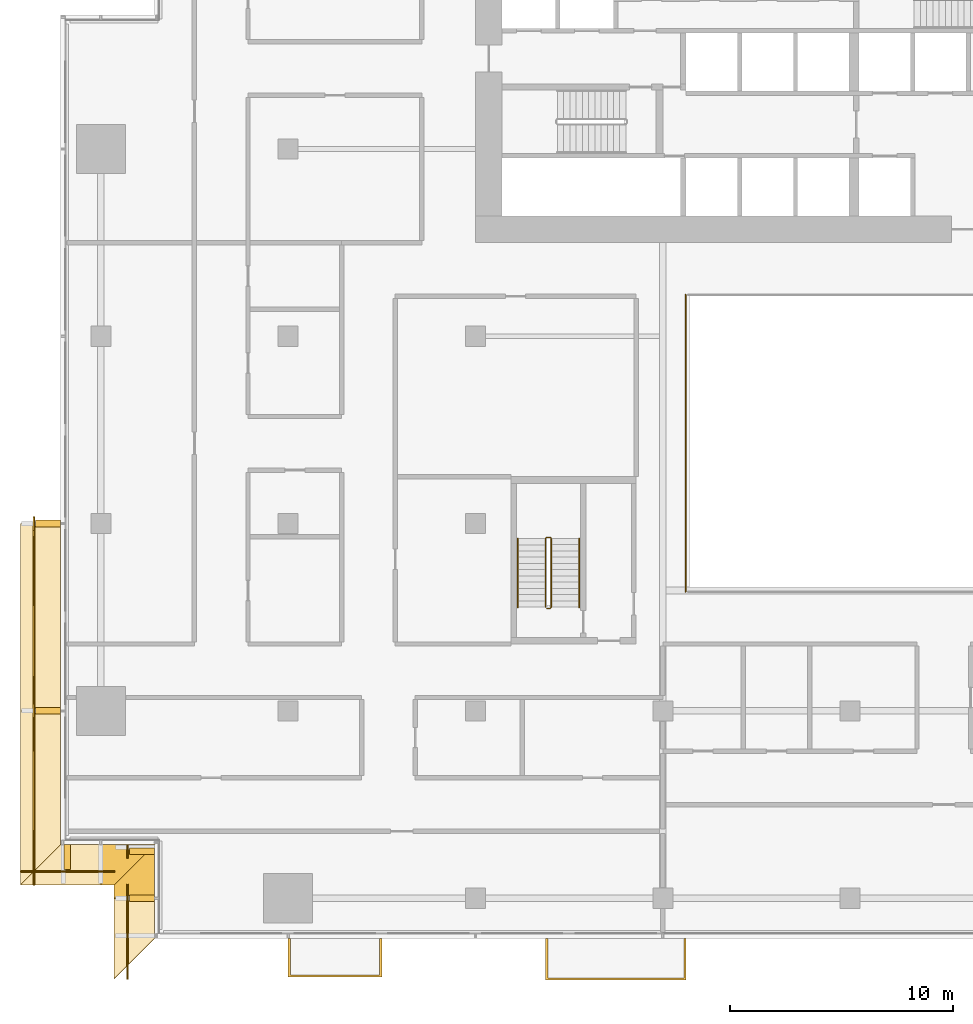
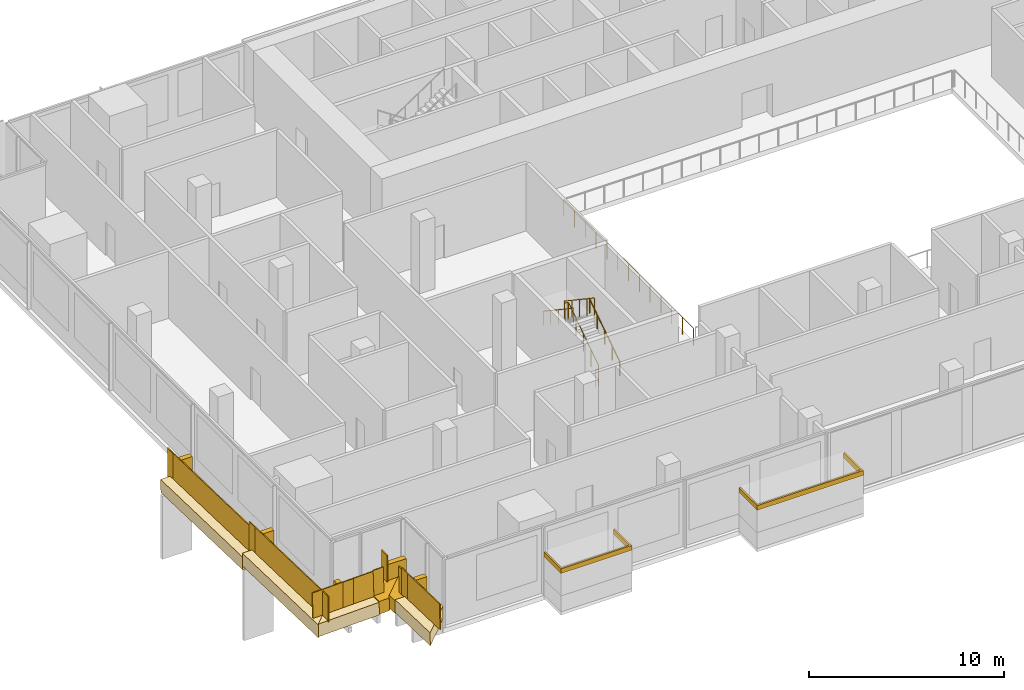
# One storey, part 21 of 23: 15 railings, 13 coverings.
"""IFC4 building model written with IfcOpenShell, lengths in metres."""

from ifc_helpers import new_model, si_unit, direction, frame, origin, origin_2d, place, context, subcontext, project, spatial, polyline, rectangle, circle, outline, extrude, material, layer, layer_set, type_object, element, save


model = new_model("IFC4")

# Units and contexts
model_context = context("Model", 3, precision=1e-05, world=origin(), true_north=direction((0.0, 1.0)))
body_context = subcontext(model_context, "Body", "Model", "MODEL_VIEW")
ifc_project = project(units=[si_unit("LENGTHUNIT", "METRE"), si_unit("AREAUNIT", "SQUARE_METRE"), si_unit("VOLUMEUNIT", "CUBIC_METRE"), si_unit("PLANEANGLEUNIT", "RADIAN"), si_unit("MASSUNIT", "GRAM", prefix="KILO")], contexts=[model_context])

# Site, building, storey
site_placement = place(None, origin())
site = spatial("IfcSite", under=ifc_project, at=site_placement, CompositionType="ELEMENT")
building_placement = place(site_placement, origin())
building = spatial("IfcBuilding", under=site, at=building_placement, Name="Saffron Gate Tower", CompositionType="ELEMENT")
storey_placement = place(building_placement, frame((0.0, 0.0, 32.699951171875)))
storey = spatial("IfcBuildingStorey", under=building, at=storey_placement, Name="L06", CompositionType="ELEMENT", Elevation=32.699951171875)

# Railing
ifc_material_1 = material(Name="Stainless steel and laminated glass", Category="steel")
railing_type_1 = type_object("IfcRailingType", Name="AG1 Atrium edge guard 1100", PredefinedType="GUARDRAIL", material=ifc_material_1)
railing_1_placement = place(storey_placement, frame((76.02001953125, 45.5400390625, 0.0)))
element("IfcRailing", 1, at=railing_1_placement, inside=storey, type_object=railing_type_1, Name="Guard S2-1", PredefinedType="GUARDRAIL", context=body_context, shape_type="SweptSolid", body=[
    extrude(circle(Radius=0.02392578125, at=origin_2d()), frame((0.0, 0.0, 1.076171875), z_axis=(0.0, 1.0, 0.0), x_axis=(-1.0, 0.0, 0.0)), (0.0, 0.0, 1.0), 13.320068359375),
    extrude(circle(Radius=0.02099609375, at=origin_2d()), origin(), (0.0, 0.0, 1.0), 1.052001953125),
    extrude(circle(Radius=0.02099609375, at=origin_2d()), frame((0.0, 1.110107421875, 0.0)), (0.0, 0.0, 1.0), 1.052001953125),
    extrude(circle(Radius=0.02099609375, at=origin_2d()), frame((0.0, 2.219970703125, 0.0)), (0.0, 0.0, 1.0), 1.052001953125),
    extrude(circle(Radius=0.02099609375, at=origin_2d()), frame((0.0, 3.330078125, 0.0)), (0.0, 0.0, 1.0), 1.052001953125),
    extrude(circle(Radius=0.02099609375, at=origin_2d()), frame((0.0, 4.43994140625, 0.0)), (0.0, 0.0, 1.0), 1.052001953125),
    extrude(circle(Radius=0.02099609375, at=origin_2d()), frame((0.0, 5.550048828125, 0.0)), (0.0, 0.0, 1.0), 1.052001953125),
    extrude(circle(Radius=0.02099609375, at=origin_2d()), frame((0.0, 6.66015625, 0.0)), (0.0, 0.0, 1.0), 1.052001953125),
    extrude(circle(Radius=0.02099609375, at=origin_2d()), frame((0.0, 7.77001953125, 0.0)), (0.0, 0.0, 1.0), 1.052001953125),
    extrude(circle(Radius=0.02099609375, at=origin_2d()), frame((0.0, 8.880126953125, 0.0)), (0.0, 0.0, 1.0), 1.052001953125),
    extrude(circle(Radius=0.02099609375, at=origin_2d()), frame((0.0, 9.989990234375, 0.0)), (0.0, 0.0, 1.0), 1.052001953125),
    extrude(circle(Radius=0.02099609375, at=origin_2d()), frame((0.0, 11.10009765625, 0.0)), (0.0, 0.0, 1.0), 1.052001953125),
    extrude(circle(Radius=0.02099609375, at=origin_2d()), frame((0.0, 12.2099609375, 0.0)), (0.0, 0.0, 1.0), 1.052001953125),
    extrude(circle(Radius=0.02099609375, at=origin_2d()), frame((0.0, 13.320068359375, 0.0)), (0.0, 0.0, 1.0), 1.052001953125),
])

# Coverings
ifc_material_2 = material(Name="Powder-coated aluminium, bright green", Category="aluminium")
ifc_layer_1 = layer(ifc_material_2, 0.080078125)
ifc_layer_set_1 = layer_set([ifc_layer_1], Name="BX1 box frame")
covering_type_1 = type_object("IfcCoveringType", Name="BX1 box frame", PredefinedType="CLADDING", material=ifc_layer_set_1)
covering_1_placement = place(storey_placement, frame((0.0, 0.0, 2.400146484375)))
element("IfcCovering", 2, at=covering_1_placement, inside=storey, type_object=covering_type_1, Name="CLADDING box frame bright", PredefinedType="CLADDING", context=body_context, shape_type="SweptSolid", body=[
    extrude(outline(polyline([(58.199951171875, 30.0), (58.300048828125, 30.0), (58.300048828125, 28.366943359375), (62.300048828125, 28.366943359375), (62.300048828125, 30.0), (62.39990234375, 30.0), (62.39990234375, 28.26708984375), (58.199951171875, 28.26708984375), (58.199951171875, 30.0)])), origin(), (0.0, 0.0, 1.0), 0.2998046875),
])
covering_2_placement = place(storey_placement, frame((0.0, 0.0, 2.400146484375)))
element("IfcCovering", 3, at=covering_2_placement, inside=storey, type_object=covering_type_1, Name="CLADDING box frame bright", PredefinedType="CLADDING", context=body_context, shape_type="SweptSolid", body=[
    extrude(outline(polyline([(69.75, 30.0), (69.85009765625, 30.0), (69.85009765625, 28.23291015625), (75.949951171875, 28.23291015625), (75.949951171875, 30.0), (76.050048828125, 30.0), (76.050048828125, 28.133056640625), (69.75, 28.133056640625), (69.75, 30.0)])), origin(), (0.0, 0.0, 1.0), 0.2998046875),
])

# Railings
railing_type_2 = type_object("IfcRailingType", Name="CR1 Stair guard 1100", PredefinedType="GUARDRAIL", material=ifc_material_1)
railing_2_placement = place(storey_placement, frame((69.800048828125, 44.800048828125, 0.0)))
element("IfcRailing", 4, at=railing_2_placement, inside=storey, type_object=railing_type_2, Name="L06 ST-D stair guard 1", PredefinedType="GUARDRAIL", context=body_context, shape_type="SweptSolid", body=[
    extrude(circle(Radius=0.02392578125, at=origin_2d()), frame((0.0, 0.0, 1.076171875), z_axis=(1.0, 0.0, 0.0), x_axis=(0.0, 1.0, 0.0)), (0.0, 0.0, 1.0), 0.14990234375),
    extrude(circle(Radius=0.02392578125, at=origin_2d()), frame((0.14990234375, 0.0, 1.076171875), z_axis=(0.249726431254, 0.249726431254, 0.935560483917), x_axis=(-0.707106781187, 0.707106781187, 0.0)), (0.0, 0.0, 1.0), 0.200439453125),
    extrude(circle(Radius=0.02392578125, at=origin_2d()), frame((0.199951171875, 0.050048828125, 1.263671875), z_axis=(0.0, 0.830893310487, 0.556431762742), x_axis=(-1.0, 0.0, 0.0)), (0.0, 0.0, 1.0), 3.70654296875),
    extrude(circle(Radius=0.02392578125, at=origin_2d()), frame((0.199951171875, 3.1298828125, 3.326171875), z_axis=(-0.707106781187, 0.707106781187, 0.0), x_axis=(-0.707106781187, -0.707106781187, 0.0)), (0.0, 0.0, 1.0), 0.07080078125),
    extrude(circle(Radius=0.02392578125, at=origin_2d()), frame((0.14990234375, 3.179931640625, 3.326171875), z_axis=(-1.0, 0.0, 0.0), x_axis=(0.0, -1.0, 0.0)), (0.0, 0.0, 1.0), 0.14990234375),
    extrude(circle(Radius=0.02392578125, at=origin_2d()), frame((0.0, 3.179931640625, 3.326171875), z_axis=(-0.249726431254, -0.249726431254, 0.935560483917), x_axis=(0.707106781187, -0.707106781187, 0.0)), (0.0, 0.0, 1.0), 0.200439453125),
    extrude(circle(Radius=0.02392578125, at=origin_2d()), frame((-0.050048828125, 3.1298828125, 3.513671875), z_axis=(0.0, -0.830893310487, 0.556431762742), x_axis=(1.0, 0.0, 0.0)), (0.0, 0.0, 1.0), 3.70654296875),
    extrude(circle(Radius=0.02099609375, at=origin_2d()), origin(), (0.0, 0.0, 1.0), 1.052001953125),
    extrude(circle(Radius=0.02099609375, at=origin_2d()), frame((0.14990234375, 0.0, 0.0)), (0.0, 0.0, 1.0), 1.052001953125),
    extrude(circle(Radius=0.02099609375, at=origin_2d()), frame((0.199951171875, 0.050048828125, 0.1875)), (0.0, 0.0, 1.0), 1.052001953125),
    extrude(circle(Radius=0.02099609375, at=origin_2d()), frame((0.199951171875, 0.820068359375, 0.703125)), (0.0, 0.0, 1.0), 1.052001953125),
    extrude(circle(Radius=0.02099609375, at=origin_2d()), frame((0.199951171875, 1.58984375, 1.21875)), (0.0, 0.0, 1.0), 1.052001953125),
    extrude(circle(Radius=0.02099609375, at=origin_2d()), frame((0.199951171875, 2.35986328125, 1.734375)), (0.0, 0.0, 1.0), 1.052001953125),
    extrude(circle(Radius=0.02099609375, at=origin_2d()), frame((0.199951171875, 3.1298828125, 2.25)), (0.0, 0.0, 1.0), 1.052001953125),
    extrude(circle(Radius=0.02099609375, at=origin_2d()), frame((0.14990234375, 3.179931640625, 2.25)), (0.0, 0.0, 1.0), 1.052001953125),
    extrude(circle(Radius=0.02099609375, at=origin_2d()), frame((0.0, 3.179931640625, 2.25)), (0.0, 0.0, 1.0), 1.052001953125),
    extrude(circle(Radius=0.02099609375, at=origin_2d()), frame((-0.050048828125, 3.1298828125, 2.4375)), (0.0, 0.0, 1.0), 1.052001953125),
    extrude(circle(Radius=0.02099609375, at=origin_2d()), frame((-0.050048828125, 2.35986328125, 2.953125)), (0.0, 0.0, 1.0), 1.052001953125),
    extrude(circle(Radius=0.02099609375, at=origin_2d()), frame((-0.050048828125, 1.58984375, 3.46875)), (0.0, 0.0, 1.0), 1.052001953125),
    extrude(circle(Radius=0.02099609375, at=origin_2d()), frame((-0.050048828125, 0.820068359375, 3.984375)), (0.0, 0.0, 1.0), 1.052001953125),
    extrude(circle(Radius=0.02099609375, at=origin_2d()), frame((-0.050048828125, 0.050048828125, 4.5)), (0.0, 0.0, 1.0), 1.052001953125),
])
ifc_material_3 = material(Name="Stainless steel", Category="steel")
railing_type_3 = type_object("IfcRailingType", Name="CR2 Stair handrail 900", PredefinedType="HANDRAIL", material=ifc_material_3)
railing_3_placement = place(storey_placement, frame((71.25, 44.85009765625, 0.1875)))
element("IfcRailing", 5, at=railing_3_placement, inside=storey, type_object=railing_type_3, Name="L06 ST-D stair handrail 1", PredefinedType="HANDRAIL", context=body_context, shape_type="SweptSolid", body=[
    extrude(circle(Radius=0.02392578125, at=origin_2d()), frame((0.0, 0.0, 0.8759765625), z_axis=(0.0, 0.830893310487, 0.556431762742), x_axis=(-1.0, 0.0, 0.0)), (0.0, 0.0, 1.0), 3.70654296875),
    extrude(circle(Radius=0.02099609375, at=origin_2d()), origin(), (0.0, 0.0, 1.0), 0.851806640625),
    extrude(circle(Radius=0.02099609375, at=origin_2d()), frame((0.0, 0.77001953125, 0.515625)), (0.0, 0.0, 1.0), 0.851806640625),
    extrude(circle(Radius=0.02099609375, at=origin_2d()), frame((0.0, 1.5400390625, 1.03125)), (0.0, 0.0, 1.0), 0.851806640625),
    extrude(circle(Radius=0.02099609375, at=origin_2d()), frame((0.0, 2.309814453125, 1.546875)), (0.0, 0.0, 1.0), 0.851806640625),
    extrude(circle(Radius=0.02099609375, at=origin_2d()), frame((0.0, 3.079833984375, 2.0625)), (0.0, 0.0, 1.0), 0.851806640625),
])
railing_4_placement = place(storey_placement, frame((68.5, 47.929931640625, 2.4375)))
element("IfcRailing", 6, at=railing_4_placement, inside=storey, type_object=railing_type_3, Name="L06 ST-D stair handrail 2", PredefinedType="HANDRAIL", context=body_context, shape_type="SweptSolid", body=[
    extrude(circle(Radius=0.02392578125, at=origin_2d()), frame((0.0, 0.0, 0.8759765625), z_axis=(0.0, -0.830893310487, 0.556431762742), x_axis=(1.0, 0.0, 0.0)), (0.0, 0.0, 1.0), 3.70654296875),
    extrude(circle(Radius=0.02099609375, at=origin_2d()), origin(), (0.0, 0.0, 1.0), 0.851806640625),
    extrude(circle(Radius=0.02099609375, at=origin_2d()), frame((0.0, -0.77001953125, 0.515625)), (0.0, 0.0, 1.0), 0.851806640625),
    extrude(circle(Radius=0.02099609375, at=origin_2d()), frame((0.0, -1.5400390625, 1.03125)), (0.0, 0.0, 1.0), 0.851806640625),
    extrude(circle(Radius=0.02099609375, at=origin_2d()), frame((0.0, -2.309814453125, 1.546875)), (0.0, 0.0, 1.0), 0.851806640625),
    extrude(circle(Radius=0.02099609375, at=origin_2d()), frame((0.0, -3.079833984375, 2.0625)), (0.0, 0.0, 1.0), 0.851806640625),
])

# Coverings
ifc_material_4 = material(Name="Timber, thermally modified ash", Category="wood")
ifc_layer_2 = layer(ifc_material_4, 0.800048828125)
ifc_layer_set_2 = layer_set([ifc_layer_2], Name="LD1 ledge timber")
covering_type_2 = type_object("IfcCoveringType", Name="LD1 ledge timber", PredefinedType="CLADDING", material=ifc_layer_set_2)
covering_3_placement = place(storey_placement, frame((48.0, 48.60009765625, 0.173828125), z_axis=(0.0, 0.028819366951, 0.999584635781), x_axis=(0.0, -0.999584635781, 0.028819366951)))
element("IfcCovering", 7, at=covering_3_placement, inside=storey, type_object=covering_type_2, Name="LEDGE", PredefinedType="CLADDING", context=body_context, shape_type="SweptSolid", body=[
    extrude(outline(polyline([(0.0, 0.0), (8.403637054520734, 0.0), (8.403637054520734, -1.800048828125), (0.0, -1.800048828125), (0.0, 0.0)])), origin(), (0.0, 0.0, -1.0), 0.800048828125),
])
covering_4_placement = place(storey_placement, frame((48.0, 40.199951171875, 0.64697265625), z_axis=(3.5027307e-05, 0.028807146299, 0.99958498743), x_axis=(3.68e-10, -0.999584988043, 0.028807146316)))
element("IfcCovering", 8, at=covering_4_placement, inside=storey, type_object=covering_type_2, Name="LEDGE", PredefinedType="CLADDING", context=body_context, shape_type="SweptSolid", body=[
    extrude(outline(polyline([(0.0, 0.0), (6.0024892885105, -2.541098841762901e-21), (7.8032891020589235, -1.8000488321003227), (-6.622937652878055e-10, -1.8000488270207489), (0.0, 0.0)])), origin(), (0.0, 0.0, -1.0), 0.800048828125),
])
covering_5_placement = place(storey_placement, frame((48.0, 34.199951171875, 0.98486328125), z_axis=(-0.028831989003, 4.5191205e-05, 0.999584270769), x_axis=(0.999584271789, -2.041e-09, 0.028831989032)))
element("IfcCovering", 9, at=covering_5_placement, inside=storey, type_object=covering_type_2, Name="LEDGE", PredefinedType="CLADDING", context=body_context, shape_type="SweptSolid", body=[
    extrude(outline(polyline([(0.0, 0.0), (1.8007998167885757, 0.0), (1.8007998204631834, -1.80004882628693), (-1.8007927740541456, -1.800048837315338), (0.0, 0.0)])), origin(), (0.0, 0.0, -1.0), 0.800048828125),
])
covering_6_placement = place(storey_placement, frame((49.800048828125, 34.199951171875, 1.08642578125), z_axis=(-0.028717702301, -7.9786444e-05, 0.99958755855), x_axis=(0.999587561732, 4.773e-09, 0.028717702392)))
element("IfcCovering", 10, at=covering_6_placement, inside=storey, type_object=covering_type_2, Name="LEDGE", PredefinedType="CLADDING", context=body_context, shape_type="SweptSolid", body=[
    extrude(outline(polyline([(0.0, 0.0), (2.400896689844359, -8.470329472543003e-22), (0.60009688553551, -1.8000488367185592), (-8.591189958294604e-09, -1.8000488223955553), (0.0, 0.0)])), origin(), (0.0, 0.0, -1.0), 0.800048828125),
])
covering_7_placement = place(storey_placement, frame((52.199951171875, 34.199951171875, 1.221435546875), z_axis=(-1.566813e-06, 0.028880273594, 0.999582877902), x_axis=(-2e-12, -0.999582877903, 0.028880273594)))
element("IfcCovering", 11, at=covering_7_placement, inside=storey, type_object=covering_type_2, Name="LEDGE", PredefinedType="CLADDING", context=body_context, shape_type="SweptSolid", body=[
    extrude(outline(polyline([(0.0, 0.0), (2.400903732297027, 0.0), (2.40090373230034, -1.8000488281227902), (1.8007998186203584, -1.8000488281283136), (0.0, 0.0)])), origin(), (0.0, 0.0, -1.0), 0.800048828125),
])
covering_8_placement = place(storey_placement, frame((52.199951171875, 31.800048828125, 1.356689453125), z_axis=(4.5191264e-05, 0.028786835276, 0.999585572161), x_axis=(2.041e-09, -0.999585573182, 0.028786835305)))
element("IfcCovering", 12, at=covering_8_placement, inside=storey, type_object=covering_type_2, Name="LEDGE", PredefinedType="CLADDING", context=body_context, shape_type="SweptSolid", body=[
    extrude(outline(polyline([(0.0, 0.0), (1.8007927832406818, 0.0), (3.601592590842695, -1.8000488373153904), (-3.674631647332522e-09, -1.800048826286925), (0.0, 0.0)])), origin(), (0.0, 0.0, -1.0), 0.800048828125),
])
ifc_layer_3 = layer(ifc_material_4, 0.300048828125)
ifc_layer_set_3 = layer_set([ifc_layer_3], Name="LD3 ledge riser fin")
covering_type_3 = type_object("IfcCoveringType", Name="LD3 ledge riser fin", PredefinedType="CLADDING", material=ifc_layer_set_3)
for number, where, z_axis, x_axis, name in (
    (13, (47.43994140625, 48.60009765625, -0.857177734375), (0.0, 0.0, 1.0), (0.0, -1.0, 0.0), "LEDGE riser fin"),
    (14, (47.43994140625, 40.199951171875, -0.384033203125), (0.0, 0.0, 1.0), (0.0, -1.0, 0.0), "LEDGE riser fin"),
):
    element("IfcCovering", number, at=place(storey_placement, frame(where, z_axis=z_axis, x_axis=x_axis)), inside=storey, type_object=covering_type_3, Name=name, PredefinedType="CLADDING", context=body_context, shape_type="SweptSolid", body=[
        extrude(rectangle(XDim=0.300048828125, YDim=1.1201171875, at=origin_2d()), origin(), (0.0, 0.0, 1.0), 1.93115234375),
    ])
covering_9_placement = place(storey_placement, frame((48.300048828125, 33.639892578125, 0.02001953125), z_axis=(0.0, 0.0, 1.0), x_axis=(1.0, 0.0, 0.0)))
element("IfcCovering", 15, at=covering_9_placement, inside=storey, type_object=covering_type_3, Name="LEDGE riser fin", PredefinedType="CLADDING", context=body_context, shape_type="SweptSolid", body=[
    extrude(rectangle(XDim=0.300048828125, YDim=1.1201171875, at=origin_2d()), origin(), (0.0, 0.0, 1.0), 1.864990234375),
])
for number, where, z_axis, x_axis, name in (
    (16, (51.639892578125, 33.89990234375, 0.35546875), (0.0, 0.0, 1.0), (0.0, -1.0, 0.0), "LEDGE riser fin"),
    (17, (51.639892578125, 31.800048828125, 0.49072265625), (0.0, 0.0, 1.0), (0.0, -1.0, 0.0), "LEDGE riser fin"),
):
    element("IfcCovering", number, at=place(storey_placement, frame(where, z_axis=z_axis, x_axis=x_axis)), inside=storey, type_object=covering_type_3, Name=name, PredefinedType="CLADDING", context=body_context, shape_type="SweptSolid", body=[
        extrude(rectangle(XDim=0.300048828125, YDim=1.1201171875, at=origin_2d()), origin(), (0.0, 0.0, 1.0), 1.76611328125),
    ])

# Railings
railing_type_4 = type_object("IfcRailingType", Name="LG1 ledge balustrade", PredefinedType="BALUSTRADE", material=ifc_material_4)
railing_5_placement = place(storey_placement, frame((46.800048828125, 48.60009765625, 0.173828125)))
element("IfcRailing", 18, at=railing_5_placement, inside=storey, type_object=railing_type_4, Name="LEDGE BALUSTRADE", PredefinedType="BALUSTRADE", context=body_context, shape_type="SweptSolid", body=[
    extrude(rectangle(XDim=0.06005859375, YDim=1.60009765625, at=origin_2d()), frame((0.0, 0.0, 0.800048828125), z_axis=(0.0, -0.999584635781, 0.028819366951), x_axis=(1.0, 0.0, 0.0)), (0.0, 0.0, 1.0), 8.403564453125),
])
railing_6_placement = place(storey_placement, frame((46.800048828125, 48.89990234375, -0.05712890625)))
element("IfcRailing", 19, at=railing_6_placement, inside=storey, type_object=railing_type_4, Name="LEDGE BALUSTRADE", PredefinedType="BALUSTRADE", context=body_context, shape_type="SweptSolid", body=[
    extrude(rectangle(XDim=0.06005859375, YDim=1.8310546875, at=origin_2d()), frame((0.0, 0.0, 0.91552734375), z_axis=(0.0, -1.0, 0.0), x_axis=(1.0, 0.0, 0.0)), (0.0, 0.0, 1.0), 0.599853515625),
])
railing_7_placement = place(storey_placement, frame((46.800048828125, 40.199951171875, 0.64697265625)))
element("IfcRailing", 20, at=railing_7_placement, inside=storey, type_object=railing_type_4, Name="LEDGE BALUSTRADE", PredefinedType="BALUSTRADE", context=body_context, shape_type="SweptSolid", body=[
    extrude(rectangle(XDim=0.06005859375, YDim=1.60009765625, at=origin_2d()), frame((0.0, 0.0, 0.800048828125), z_axis=(0.0, -0.999584755248, 0.028815222999), x_axis=(1.0, 0.0, 0.0)), (0.0, 0.0, 1.0), 7.80322265625),
])
railing_8_placement = place(storey_placement, frame((46.800048828125, 40.5, 0.416015625)))
element("IfcRailing", 21, at=railing_8_placement, inside=storey, type_object=railing_type_4, Name="LEDGE BALUSTRADE", PredefinedType="BALUSTRADE", context=body_context, shape_type="SweptSolid", body=[
    extrude(rectangle(XDim=0.06005859375, YDim=1.8310546875, at=origin_2d()), frame((0.0, 0.0, 0.91552734375), z_axis=(0.0, -1.0, 0.0), x_axis=(1.0, 0.0, 0.0)), (0.0, 0.0, 1.0), 0.60009765625),
])
railing_9_placement = place(storey_placement, frame((46.199951171875, 33.0, 0.93310546875)))
element("IfcRailing", 22, at=railing_9_placement, inside=storey, type_object=railing_type_4, Name="LEDGE BALUSTRADE", PredefinedType="BALUSTRADE", context=body_context, shape_type="SweptSolid", body=[
    extrude(rectangle(XDim=0.06005859375, YDim=1.60009765625, at=origin_2d()), frame((0.0, 0.0, 0.800048828125), z_axis=(0.99958492274, 0.0, 0.028809412191), x_axis=(0.0, 1.0, 0.0)), (0.0, 0.0, 1.0), 3.6015625),
])
railing_10_placement = place(storey_placement, frame((48.0, 33.0, 0.81982421875)))
element("IfcRailing", 23, at=railing_10_placement, inside=storey, type_object=railing_type_4, Name="LEDGE BALUSTRADE", PredefinedType="BALUSTRADE", context=body_context, shape_type="SweptSolid", body=[
    extrude(rectangle(XDim=0.06005859375, YDim=1.76513671875, at=origin_2d()), frame((0.0, 0.0, 0.882568359375), z_axis=(1.0, 0.0, 0.0), x_axis=(0.0, 1.0, 0.0)), (0.0, 0.0, 1.0), 0.60009765625),
])
railing_11_placement = place(storey_placement, frame((49.800048828125, 33.0, 1.08642578125)))
element("IfcRailing", 24, at=railing_11_placement, inside=storey, type_object=railing_type_4, Name="LEDGE BALUSTRADE", PredefinedType="BALUSTRADE", context=body_context, shape_type="SweptSolid", body=[
    extrude(rectangle(XDim=0.06005859375, YDim=1.60009765625, at=origin_2d()), frame((0.0, 0.0, 0.800048828125), z_axis=(0.999594406032, 0.0, 0.028478473106), x_axis=(0.0, 1.0, 0.0)), (0.0, 0.0, 1.0), 0.60009765625),
])
railing_12_placement = place(storey_placement, frame((51.0, 32.39990234375, 1.2734375)))
element("IfcRailing", 25, at=railing_12_placement, inside=storey, type_object=railing_type_4, Name="LEDGE BALUSTRADE", PredefinedType="BALUSTRADE", context=body_context, shape_type="SweptSolid", body=[
    extrude(rectangle(XDim=0.06005859375, YDim=1.60009765625, at=origin_2d()), frame((0.0, 0.0, 0.800048828125), z_axis=(0.0, -0.999582742162, 0.028884971385), x_axis=(1.0, 0.0, 0.0)), (0.0, 0.0, 1.0), 0.60009765625),
])
railing_13_placement = place(storey_placement, frame((51.0, 34.199951171875, 1.155517578125)))
element("IfcRailing", 26, at=railing_13_placement, inside=storey, type_object=railing_type_4, Name="LEDGE BALUSTRADE", PredefinedType="BALUSTRADE", context=body_context, shape_type="SweptSolid", body=[
    extrude(rectangle(XDim=0.06005859375, YDim=1.666015625, at=origin_2d()), frame((0.0, 0.0, 0.8330078125), z_axis=(0.0, -1.0, 0.0), x_axis=(1.0, 0.0, 0.0)), (0.0, 0.0, 1.0), 0.599853515625),
])
railing_14_placement = place(storey_placement, frame((51.0, 31.800048828125, 1.356689453125)))
element("IfcRailing", 27, at=railing_14_placement, inside=storey, type_object=railing_type_4, Name="LEDGE BALUSTRADE", PredefinedType="BALUSTRADE", context=body_context, shape_type="SweptSolid", body=[
    extrude(rectangle(XDim=0.06005859375, YDim=1.60009765625, at=origin_2d()), frame((0.0, 0.0, 0.800048828125), z_axis=(0.0, -0.99958492274, 0.028809412191), x_axis=(1.0, 0.0, 0.0)), (0.0, 0.0, 1.0), 3.6015625),
])
railing_15_placement = place(storey_placement, frame((51.0, 32.10009765625, 1.290771484375)))
element("IfcRailing", 28, at=railing_15_placement, inside=storey, type_object=railing_type_4, Name="LEDGE BALUSTRADE", PredefinedType="BALUSTRADE", context=body_context, shape_type="SweptSolid", body=[
    extrude(rectangle(XDim=0.06005859375, YDim=1.666015625, at=origin_2d()), frame((0.0, 0.0, 0.8330078125), z_axis=(0.0, -1.0, 0.0), x_axis=(1.0, 0.0, 0.0)), (0.0, 0.0, 1.0), 0.60009765625),
])

save(model, "model.ifc")
